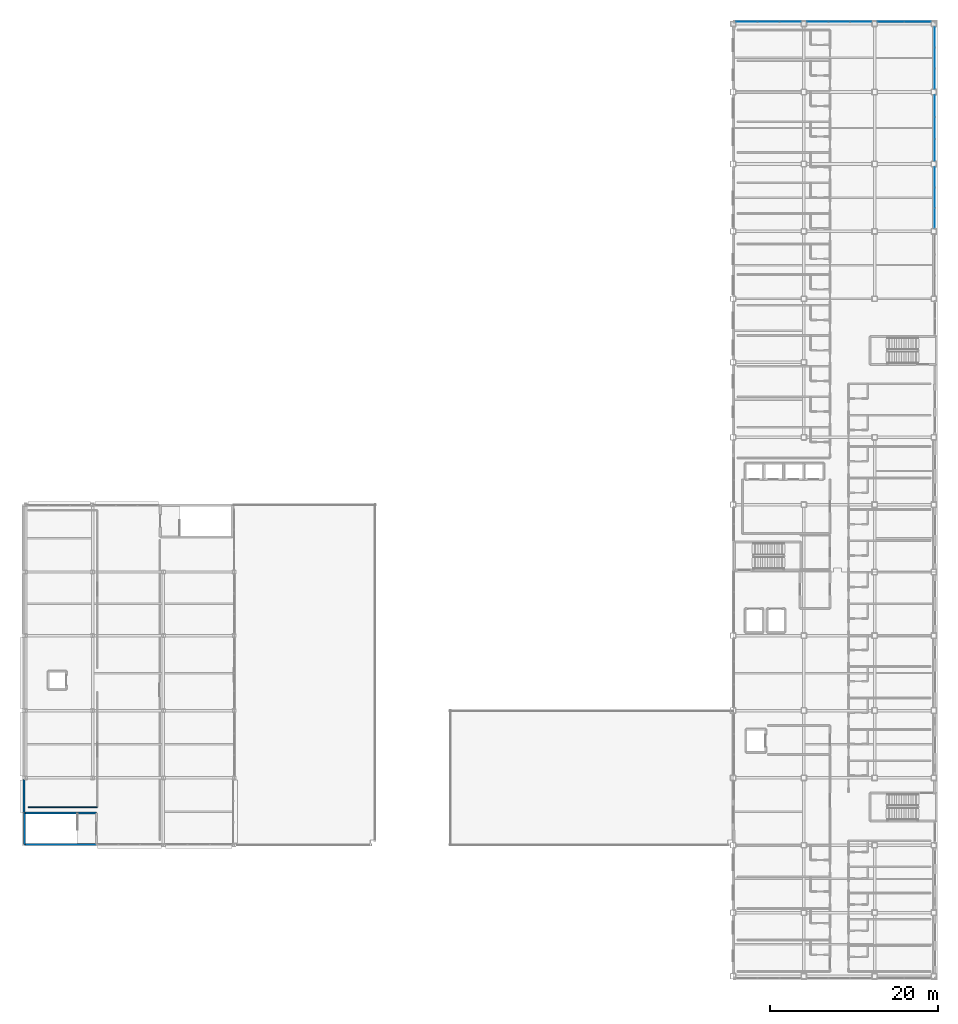
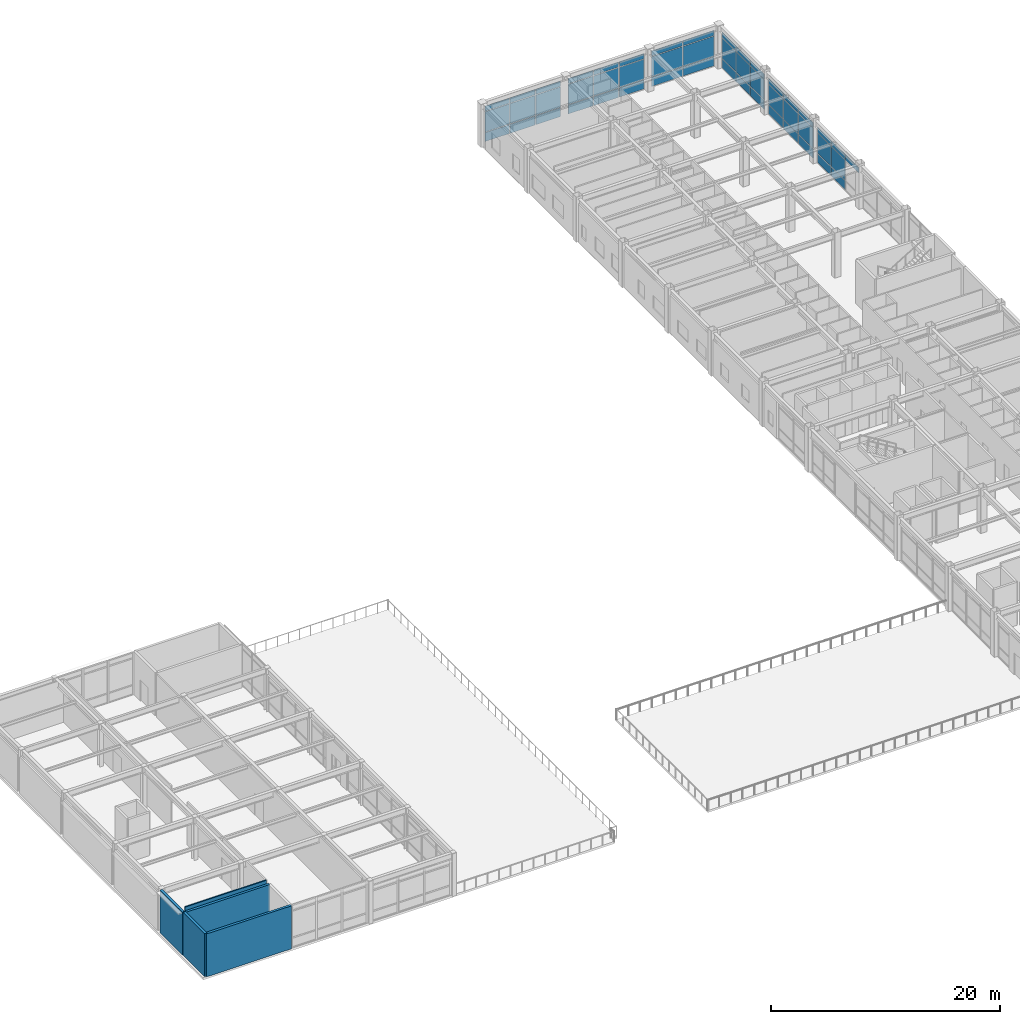
# One storey, part 47 of 61: 49 plates, 5 walls, 6 elements without a shape of their own.
"""IFC4 building model written with IfcOpenShell, lengths in metres."""

from ifc_helpers import new_model, si_unit, direction, frame, frame_2d, origin, origin_2d, place, context, subcontext, project, spatial, rectangle, extrude, material, layer, layer_set, type_object, element, aggregate, save


model = new_model("IFC4")

# Units and contexts
model_context = context("Model", 3, precision=1e-05, world=origin(), true_north=direction((0.0, 1.0)))
body_context = subcontext(model_context, "Body", "Model", "MODEL_VIEW")
ifc_project = project(units=[si_unit("LENGTHUNIT", "METRE"), si_unit("AREAUNIT", "SQUARE_METRE"), si_unit("VOLUMEUNIT", "CUBIC_METRE"), si_unit("PLANEANGLEUNIT", "RADIAN"), si_unit("MASSUNIT", "GRAM", prefix="KILO")], contexts=[model_context])

# Site, building, storey
site_placement = place(None, origin())
site = spatial("IfcSite", under=ifc_project, at=site_placement, CompositionType="ELEMENT")
building_placement = place(site_placement, origin())
building = spatial("IfcBuilding", under=site, at=building_placement, Name="Kazehara Bluff Congress Hotel", CompositionType="ELEMENT")
storey_placement = place(building_placement, frame((0.0, 0.0, 19.800048828125)))
storey = spatial("IfcBuildingStorey", under=building, at=storey_placement, Name="L04", CompositionType="ELEMENT", Elevation=19.800048828125)

# Curtain wall, plates
ifc_material_1 = material(Name="Anodised aluminium", Category="aluminium")
ifc_layer_1 = layer(ifc_material_1, 0.159912109375)
ifc_layer_set_1 = layer_set([ifc_layer_1], Name="Anodised aluminium")
curtain_wall_type_1 = type_object("IfcCurtainWallType", Name="TP-CW-162", PredefinedType="NOTDEFINED", material=ifc_layer_set_1)
curtain_wall_1_placement = place(storey_placement, origin())
curtain_wall_1 = element("IfcCurtainWall", 1, at=curtain_wall_1_placement, inside=storey, type_object=curtain_wall_type_1, Name="L04 curtain wall CW-162 CW-ENC-V5-L04-16765-9290", PredefinedType="NOTDEFINED")
ifc_material_2 = material(Name="Insulated low-E double glazing", Category="glass")
ifc_layer_2 = layer(ifc_material_2, 0.028076171875)
ifc_layer_set_2 = layer_set([ifc_layer_2], Name="Insulated low-E double glazing")
plate_type = type_object("IfcPlateType", Name="TP-CWP-01", PredefinedType="CURTAIN_PANEL", material=ifc_layer_set_2)
plate_1_placement = place(storey_placement, frame((167.64990234375, 95.333740234375, 0.06494140625), z_axis=(0.0, 0.0, 1.0), x_axis=(0.0, -1.0, 0.0)))
plate_1 = element("IfcPlate", 2, at=plate_1_placement, type_object=plate_type, Name="CW-162 panel 1.1", PredefinedType="CURTAIN_PANEL", context=body_context, shape_type="SweptSolid", body=[
    extrude(rectangle(XDim=2.3525390625, YDim=0.028076171875, at=origin_2d()), origin(), (0.0, 0.0, 1.0), 0.952392578125),
])
plate_2_placement = place(storey_placement, frame((167.64990234375, 95.333740234375, 1.08251953125), z_axis=(0.0, 0.0, 1.0), x_axis=(0.0, -1.0, 0.0)))
plate_2 = element("IfcPlate", 3, at=plate_2_placement, type_object=plate_type, Name="CW-162 panel 1.2", PredefinedType="CURTAIN_PANEL", context=body_context, shape_type="SweptSolid", body=[
    extrude(rectangle(XDim=2.3525390625, YDim=0.028076171875, at=origin_2d()), origin(), (0.0, 0.0, 1.0), 2.139892578125),
])
plate_3_placement = place(storey_placement, frame((167.64990234375, 95.333740234375, 3.28759765625), z_axis=(0.0, 0.0, 1.0), x_axis=(0.0, -1.0, 0.0)))
plate_3 = element("IfcPlate", 4, at=plate_3_placement, type_object=plate_type, Name="CW-162 panel 1.3", PredefinedType="CURTAIN_PANEL", context=body_context, shape_type="SweptSolid", body=[
    extrude(rectangle(XDim=2.3525390625, YDim=0.028076171875, at=origin_2d()), origin(), (0.0, 0.0, 1.0), 0.552490234375),
])
plate_4_placement = place(storey_placement, frame((167.64990234375, 92.89990234375, 0.06494140625), z_axis=(0.0, 0.0, 1.0), x_axis=(0.0, -1.0, 0.0)))
plate_4 = element("IfcPlate", 5, at=plate_4_placement, type_object=plate_type, Name="CW-162 panel 2.1", PredefinedType="CURTAIN_PANEL", context=body_context, shape_type="SweptSolid", body=[
    extrude(rectangle(XDim=2.385009765625, YDim=0.028076171875, at=origin_2d()), origin(), (0.0, 0.0, 1.0), 0.952392578125),
])
plate_5_placement = place(storey_placement, frame((167.64990234375, 92.89990234375, 1.08251953125), z_axis=(0.0, 0.0, 1.0), x_axis=(0.0, -1.0, 0.0)))
plate_5 = element("IfcPlate", 6, at=plate_5_placement, type_object=plate_type, Name="CW-162 panel 2.2", PredefinedType="CURTAIN_PANEL", context=body_context, shape_type="SweptSolid", body=[
    extrude(rectangle(XDim=2.385009765625, YDim=0.028076171875, at=origin_2d()), origin(), (0.0, 0.0, 1.0), 2.139892578125),
])
plate_6_placement = place(storey_placement, frame((167.64990234375, 92.89990234375, 3.28759765625), z_axis=(0.0, 0.0, 1.0), x_axis=(0.0, -1.0, 0.0)))
plate_6 = element("IfcPlate", 7, at=plate_6_placement, type_object=plate_type, Name="CW-162 panel 2.3", PredefinedType="CURTAIN_PANEL", context=body_context, shape_type="SweptSolid", body=[
    extrude(rectangle(XDim=2.385009765625, YDim=0.028076171875, at=origin_2d()), origin(), (0.0, 0.0, 1.0), 0.552490234375),
])
plate_7_placement = place(storey_placement, frame((167.64990234375, 90.46630859375, 3.28759765625), z_axis=(0.0, 0.0, 1.0), x_axis=(0.0, -1.0, 0.0)))
plate_7 = element("IfcPlate", 8, at=plate_7_placement, type_object=plate_type, Name="CW-162 panel 3.3", PredefinedType="CURTAIN_PANEL", context=body_context, shape_type="SweptSolid", body=[
    extrude(rectangle(XDim=2.3525390625, YDim=0.028076171875, at=origin_2d()), origin(), (0.0, 0.0, 1.0), 0.552490234375),
])
aggregate(curtain_wall_1, [plate_1, plate_2, plate_3, plate_4, plate_5, plate_6, plate_7])

ifc_material_3 = material(Name="Anodised aluminium", Category="aluminium")
ifc_layer_3 = layer(ifc_material_3, 0.159912109375)
ifc_layer_set_3 = layer_set([ifc_layer_3], Name="Anodised aluminium")
curtain_wall_type_2 = type_object("IfcCurtainWallType", Name="TP-CW-163", PredefinedType="NOTDEFINED", material=ifc_layer_set_3)
curtain_wall_2_placement = place(storey_placement, origin())
curtain_wall_2 = element("IfcCurtainWall", 9, at=curtain_wall_2_placement, inside=storey, type_object=curtain_wall_type_2, Name="L04 curtain wall CW-163 CW-ENC-V5-L04-16765-10118", PredefinedType="NOTDEFINED")
plate_8_placement = place(storey_placement, frame((167.64990234375, 103.7919921875, 0.06494140625), z_axis=(0.0, 0.0, 1.0), x_axis=(0.0, -1.0, 0.0)))
plate_8 = element("IfcPlate", 10, at=plate_8_placement, type_object=plate_type, Name="CW-163 panel 1.1", PredefinedType="CURTAIN_PANEL", context=body_context, shape_type="SweptSolid", body=[
    extrude(rectangle(XDim=2.535888671875, YDim=0.028076171875, at=origin_2d()), origin(), (0.0, 0.0, 1.0), 0.952392578125),
])
plate_9_placement = place(storey_placement, frame((167.64990234375, 103.7919921875, 1.08251953125), z_axis=(0.0, 0.0, 1.0), x_axis=(0.0, -1.0, 0.0)))
plate_9 = element("IfcPlate", 11, at=plate_9_placement, type_object=plate_type, Name="CW-163 panel 1.2", PredefinedType="CURTAIN_PANEL", context=body_context, shape_type="SweptSolid", body=[
    extrude(rectangle(XDim=2.535888671875, YDim=0.028076171875, at=origin_2d()), origin(), (0.0, 0.0, 1.0), 2.139892578125),
])
plate_10_placement = place(storey_placement, frame((167.64990234375, 103.7919921875, 3.28759765625), z_axis=(0.0, 0.0, 1.0), x_axis=(0.0, -1.0, 0.0)))
plate_10 = element("IfcPlate", 12, at=plate_10_placement, type_object=plate_type, Name="CW-163 panel 1.3", PredefinedType="CURTAIN_PANEL", context=body_context, shape_type="SweptSolid", body=[
    extrude(rectangle(XDim=2.535888671875, YDim=0.028076171875, at=origin_2d()), origin(), (0.0, 0.0, 1.0), 0.552490234375),
])
plate_11_placement = place(storey_placement, frame((167.64990234375, 101.175048828125, 0.06494140625), z_axis=(0.0, 0.0, 1.0), x_axis=(0.0, -1.0, 0.0)))
plate_11 = element("IfcPlate", 13, at=plate_11_placement, type_object=plate_type, Name="CW-163 panel 2.1", PredefinedType="CURTAIN_PANEL", context=body_context, shape_type="SweptSolid", body=[
    extrude(rectangle(XDim=2.568359375, YDim=0.028076171875, at=origin_2d()), origin(), (0.0, 0.0, 1.0), 0.952392578125),
])
plate_12_placement = place(storey_placement, frame((167.64990234375, 101.175048828125, 1.08251953125), z_axis=(0.0, 0.0, 1.0), x_axis=(0.0, -1.0, 0.0)))
plate_12 = element("IfcPlate", 14, at=plate_12_placement, type_object=plate_type, Name="CW-163 panel 2.2", PredefinedType="CURTAIN_PANEL", context=body_context, shape_type="SweptSolid", body=[
    extrude(rectangle(XDim=2.568359375, YDim=0.028076171875, at=origin_2d()), origin(), (0.0, 0.0, 1.0), 2.139892578125),
])
plate_13_placement = place(storey_placement, frame((167.64990234375, 101.175048828125, 3.28759765625), z_axis=(0.0, 0.0, 1.0), x_axis=(0.0, -1.0, 0.0)))
plate_13 = element("IfcPlate", 15, at=plate_13_placement, type_object=plate_type, Name="CW-163 panel 2.3", PredefinedType="CURTAIN_PANEL", context=body_context, shape_type="SweptSolid", body=[
    extrude(rectangle(XDim=2.568359375, YDim=0.028076171875, at=origin_2d()), origin(), (0.0, 0.0, 1.0), 0.552490234375),
])
plate_14_placement = place(storey_placement, frame((167.64990234375, 98.557861328125, 0.06494140625), z_axis=(0.0, 0.0, 1.0), x_axis=(0.0, -1.0, 0.0)))
plate_14 = element("IfcPlate", 16, at=plate_14_placement, type_object=plate_type, Name="CW-163 panel 3.1", PredefinedType="CURTAIN_PANEL", context=body_context, shape_type="SweptSolid", body=[
    extrude(rectangle(XDim=2.535888671875, YDim=0.028076171875, at=origin_2d()), origin(), (0.0, 0.0, 1.0), 0.952392578125),
])
plate_15_placement = place(storey_placement, frame((167.64990234375, 98.557861328125, 1.08251953125), z_axis=(0.0, 0.0, 1.0), x_axis=(0.0, -1.0, 0.0)))
plate_15 = element("IfcPlate", 17, at=plate_15_placement, type_object=plate_type, Name="CW-163 panel 3.2", PredefinedType="CURTAIN_PANEL", context=body_context, shape_type="SweptSolid", body=[
    extrude(rectangle(XDim=2.535888671875, YDim=0.028076171875, at=origin_2d()), origin(), (0.0, 0.0, 1.0), 2.139892578125),
])
plate_16_placement = place(storey_placement, frame((167.64990234375, 98.557861328125, 3.28759765625), z_axis=(0.0, 0.0, 1.0), x_axis=(0.0, -1.0, 0.0)))
plate_16 = element("IfcPlate", 18, at=plate_16_placement, type_object=plate_type, Name="CW-163 panel 3.3", PredefinedType="CURTAIN_PANEL", context=body_context, shape_type="SweptSolid", body=[
    extrude(rectangle(XDim=2.535888671875, YDim=0.028076171875, at=origin_2d()), origin(), (0.0, 0.0, 1.0), 0.552490234375),
])
aggregate(curtain_wall_2, [plate_8, plate_9, plate_10, plate_11, plate_12, plate_13, plate_14, plate_15, plate_16])

ifc_material_4 = material(Name="Anodised aluminium", Category="aluminium")
ifc_layer_4 = layer(ifc_material_4, 0.159912109375)
ifc_layer_set_4 = layer_set([ifc_layer_4], Name="Anodised aluminium")
curtain_wall_type_3 = type_object("IfcCurtainWallType", Name="TP-CW-164", PredefinedType="NOTDEFINED", material=ifc_layer_set_4)
curtain_wall_3_placement = place(storey_placement, origin())
curtain_wall_3 = element("IfcCurtainWall", 19, at=curtain_wall_3_placement, inside=storey, type_object=curtain_wall_type_3, Name="L04 curtain wall CW-164 CW-ENC-V5-L04-16765-10950", PredefinedType="NOTDEFINED")
plate_17_placement = place(storey_placement, frame((167.64990234375, 111.967041015625, 0.06494140625), z_axis=(0.0, 0.0, 1.0), x_axis=(0.0, -1.0, 0.0)))
plate_17 = element("IfcPlate", 20, at=plate_17_placement, type_object=plate_type, Name="CW-164 panel 1.1", PredefinedType="CURTAIN_PANEL", context=body_context, shape_type="SweptSolid", body=[
    extrude(rectangle(XDim=2.3857421875, YDim=0.028076171875, at=origin_2d()), origin(), (0.0, 0.0, 1.0), 0.952392578125),
])
plate_18_placement = place(storey_placement, frame((167.64990234375, 111.967041015625, 1.08251953125), z_axis=(0.0, 0.0, 1.0), x_axis=(0.0, -1.0, 0.0)))
plate_18 = element("IfcPlate", 21, at=plate_18_placement, type_object=plate_type, Name="CW-164 panel 1.2", PredefinedType="CURTAIN_PANEL", context=body_context, shape_type="SweptSolid", body=[
    extrude(rectangle(XDim=2.3857421875, YDim=0.028076171875, at=origin_2d()), origin(), (0.0, 0.0, 1.0), 2.139892578125),
])
plate_19_placement = place(storey_placement, frame((167.64990234375, 111.967041015625, 3.28759765625), z_axis=(0.0, 0.0, 1.0), x_axis=(0.0, -1.0, 0.0)))
plate_19 = element("IfcPlate", 22, at=plate_19_placement, type_object=plate_type, Name="CW-164 panel 1.3", PredefinedType="CURTAIN_PANEL", context=body_context, shape_type="SweptSolid", body=[
    extrude(rectangle(XDim=2.3857421875, YDim=0.028076171875, at=origin_2d()), origin(), (0.0, 0.0, 1.0), 0.552490234375),
])
plate_20_placement = place(storey_placement, frame((167.64990234375, 109.5, 0.06494140625), z_axis=(0.0, 0.0, 1.0), x_axis=(0.0, -1.0, 0.0)))
plate_20 = element("IfcPlate", 23, at=plate_20_placement, type_object=plate_type, Name="CW-164 panel 2.1", PredefinedType="CURTAIN_PANEL", context=body_context, shape_type="SweptSolid", body=[
    extrude(rectangle(XDim=2.418212890625, YDim=0.028076171875, at=origin_2d()), origin(), (0.0, 0.0, 1.0), 0.952392578125),
])
plate_21_placement = place(storey_placement, frame((167.64990234375, 109.5, 1.08251953125), z_axis=(0.0, 0.0, 1.0), x_axis=(0.0, -1.0, 0.0)))
plate_21 = element("IfcPlate", 24, at=plate_21_placement, type_object=plate_type, Name="CW-164 panel 2.2", PredefinedType="CURTAIN_PANEL", context=body_context, shape_type="SweptSolid", body=[
    extrude(rectangle(XDim=2.418212890625, YDim=0.028076171875, at=origin_2d()), origin(), (0.0, 0.0, 1.0), 2.139892578125),
])
plate_22_placement = place(storey_placement, frame((167.64990234375, 109.5, 3.28759765625), z_axis=(0.0, 0.0, 1.0), x_axis=(0.0, -1.0, 0.0)))
plate_22 = element("IfcPlate", 25, at=plate_22_placement, type_object=plate_type, Name="CW-164 panel 2.3", PredefinedType="CURTAIN_PANEL", context=body_context, shape_type="SweptSolid", body=[
    extrude(rectangle(XDim=2.418212890625, YDim=0.028076171875, at=origin_2d()), origin(), (0.0, 0.0, 1.0), 0.552490234375),
])
plate_23_placement = place(storey_placement, frame((167.64990234375, 107.032958984375, 0.06494140625), z_axis=(0.0, 0.0, 1.0), x_axis=(0.0, -1.0, 0.0)))
plate_23 = element("IfcPlate", 26, at=plate_23_placement, type_object=plate_type, Name="CW-164 panel 3.1", PredefinedType="CURTAIN_PANEL", context=body_context, shape_type="SweptSolid", body=[
    extrude(rectangle(XDim=2.3857421875, YDim=0.028076171875, at=origin_2d()), origin(), (0.0, 0.0, 1.0), 0.952392578125),
])
plate_24_placement = place(storey_placement, frame((167.64990234375, 107.032958984375, 1.08251953125), z_axis=(0.0, 0.0, 1.0), x_axis=(0.0, -1.0, 0.0)))
plate_24 = element("IfcPlate", 27, at=plate_24_placement, type_object=plate_type, Name="CW-164 panel 3.2", PredefinedType="CURTAIN_PANEL", context=body_context, shape_type="SweptSolid", body=[
    extrude(rectangle(XDim=2.3857421875, YDim=0.028076171875, at=origin_2d()), origin(), (0.0, 0.0, 1.0), 2.139892578125),
])
plate_25_placement = place(storey_placement, frame((167.64990234375, 107.032958984375, 3.28759765625), z_axis=(0.0, 0.0, 1.0), x_axis=(0.0, -1.0, 0.0)))
plate_25 = element("IfcPlate", 28, at=plate_25_placement, type_object=plate_type, Name="CW-164 panel 3.3", PredefinedType="CURTAIN_PANEL", context=body_context, shape_type="SweptSolid", body=[
    extrude(rectangle(XDim=2.3857421875, YDim=0.028076171875, at=origin_2d()), origin(), (0.0, 0.0, 1.0), 0.552490234375),
])
aggregate(curtain_wall_3, [plate_17, plate_18, plate_19, plate_20, plate_21, plate_22, plate_23, plate_24, plate_25])

ifc_material_5 = material(Name="Anodised aluminium", Category="aluminium")
ifc_layer_5 = layer(ifc_material_5, 0.159912109375)
ifc_layer_set_5 = layer_set([ifc_layer_5], Name="Anodised aluminium")
curtain_wall_type_4 = type_object("IfcCurtainWallType", Name="TP-CW-158", PredefinedType="NOTDEFINED", material=ifc_layer_set_5)
curtain_wall_4_placement = place(storey_placement, origin())
curtain_wall_4 = element("IfcCurtainWall", 29, at=curtain_wall_4_placement, inside=storey, type_object=curtain_wall_type_4, Name="L04 curtain wall CW-158 CW-ENC-V5-L04-14790-11378", PredefinedType="NOTDEFINED")
plate_26_placement = place(storey_placement, frame((145.3330078125, 113.780029296875, 0.06494140625), z_axis=(0.0, 0.0, 1.0), x_axis=(1.0, 0.0, 0.0)))
plate_26 = element("IfcPlate", 30, at=plate_26_placement, type_object=plate_type, Name="CW-158 panel 1.1", PredefinedType="CURTAIN_PANEL", context=body_context, shape_type="SweptSolid", body=[
    extrude(rectangle(XDim=2.48583984375, YDim=0.028076171875, at=origin_2d()), origin(), (0.0, 0.0, 1.0), 0.952392578125),
])
plate_27_placement = place(storey_placement, frame((145.3330078125, 113.780029296875, 1.08251953125), z_axis=(0.0, 0.0, 1.0), x_axis=(1.0, 0.0, 0.0)))
plate_27 = element("IfcPlate", 31, at=plate_27_placement, type_object=plate_type, Name="CW-158 panel 1.2", PredefinedType="CURTAIN_PANEL", context=body_context, shape_type="SweptSolid", body=[
    extrude(rectangle(XDim=2.48583984375, YDim=0.028076171875, at=origin_2d()), origin(), (0.0, 0.0, 1.0), 2.139892578125),
])
plate_28_placement = place(storey_placement, frame((145.3330078125, 113.780029296875, 3.28759765625), z_axis=(0.0, 0.0, 1.0), x_axis=(1.0, 0.0, 0.0)))
plate_28 = element("IfcPlate", 32, at=plate_28_placement, type_object=plate_type, Name="CW-158 panel 1.3", PredefinedType="CURTAIN_PANEL", context=body_context, shape_type="SweptSolid", body=[
    extrude(rectangle(XDim=2.48583984375, YDim=0.028076171875, at=origin_2d()), origin(), (0.0, 0.0, 1.0), 0.552490234375),
])
plate_29_placement = place(storey_placement, frame((147.89990234375, 113.780029296875, 0.06494140625), z_axis=(0.0, 0.0, 1.0), x_axis=(1.0, 0.0, 0.0)))
plate_29 = element("IfcPlate", 33, at=plate_29_placement, type_object=plate_type, Name="CW-158 panel 2.1", PredefinedType="CURTAIN_PANEL", context=body_context, shape_type="SweptSolid", body=[
    extrude(rectangle(XDim=2.518310546875, YDim=0.028076171875, at=origin_2d()), origin(), (0.0, 0.0, 1.0), 0.952392578125),
])
plate_30_placement = place(storey_placement, frame((147.89990234375, 113.780029296875, 1.08251953125), z_axis=(0.0, 0.0, 1.0), x_axis=(1.0, 0.0, 0.0)))
plate_30 = element("IfcPlate", 34, at=plate_30_placement, type_object=plate_type, Name="CW-158 panel 2.2", PredefinedType="CURTAIN_PANEL", context=body_context, shape_type="SweptSolid", body=[
    extrude(rectangle(XDim=2.518310546875, YDim=0.028076171875, at=origin_2d()), origin(), (0.0, 0.0, 1.0), 2.139892578125),
])
plate_31_placement = place(storey_placement, frame((147.89990234375, 113.780029296875, 3.28759765625), z_axis=(0.0, 0.0, 1.0), x_axis=(1.0, 0.0, 0.0)))
plate_31 = element("IfcPlate", 35, at=plate_31_placement, type_object=plate_type, Name="CW-158 panel 2.3", PredefinedType="CURTAIN_PANEL", context=body_context, shape_type="SweptSolid", body=[
    extrude(rectangle(XDim=2.518310546875, YDim=0.028076171875, at=origin_2d()), origin(), (0.0, 0.0, 1.0), 0.552490234375),
])
plate_32_placement = place(storey_placement, frame((150.467041015625, 113.780029296875, 0.06494140625), z_axis=(0.0, 0.0, 1.0), x_axis=(1.0, 0.0, 0.0)))
plate_32 = element("IfcPlate", 36, at=plate_32_placement, type_object=plate_type, Name="CW-158 panel 3.1", PredefinedType="CURTAIN_PANEL", context=body_context, shape_type="SweptSolid", body=[
    extrude(rectangle(XDim=2.48583984375, YDim=0.028076171875, at=origin_2d()), origin(), (0.0, 0.0, 1.0), 0.952392578125),
])
plate_33_placement = place(storey_placement, frame((150.467041015625, 113.780029296875, 1.08251953125), z_axis=(0.0, 0.0, 1.0), x_axis=(1.0, 0.0, 0.0)))
plate_33 = element("IfcPlate", 37, at=plate_33_placement, type_object=plate_type, Name="CW-158 panel 3.2", PredefinedType="CURTAIN_PANEL", context=body_context, shape_type="SweptSolid", body=[
    extrude(rectangle(XDim=2.48583984375, YDim=0.028076171875, at=origin_2d()), origin(), (0.0, 0.0, 1.0), 2.139892578125),
])
plate_34_placement = place(storey_placement, frame((150.467041015625, 113.780029296875, 3.28759765625), z_axis=(0.0, 0.0, 1.0), x_axis=(1.0, 0.0, 0.0)))
plate_34 = element("IfcPlate", 38, at=plate_34_placement, type_object=plate_type, Name="CW-158 panel 3.3", PredefinedType="CURTAIN_PANEL", context=body_context, shape_type="SweptSolid", body=[
    extrude(rectangle(XDim=2.48583984375, YDim=0.028076171875, at=origin_2d()), origin(), (0.0, 0.0, 1.0), 0.552490234375),
])
aggregate(curtain_wall_4, [plate_26, plate_27, plate_28, plate_29, plate_30, plate_31, plate_32, plate_33, plate_34])

curtain_wall_5_placement = place(storey_placement, origin())
curtain_wall_5 = element("IfcCurtainWall", 39, at=curtain_wall_5_placement, inside=storey, type_object=curtain_wall_type_4, Name="L04 curtain wall CW-158 CW-ENC-V5-L04-15630-11378", PredefinedType="NOTDEFINED")
plate_35_placement = place(storey_placement, frame((153.73291015625, 113.780029296875, 0.06494140625), z_axis=(0.0, 0.0, 1.0), x_axis=(1.0, 0.0, 0.0)))
plate_35 = element("IfcPlate", 40, at=plate_35_placement, type_object=plate_type, Name="CW-158 panel 1.1", PredefinedType="CURTAIN_PANEL", context=body_context, shape_type="SweptSolid", body=[
    extrude(rectangle(XDim=2.48583984375, YDim=0.028076171875, at=origin_2d()), origin(), (0.0, 0.0, 1.0), 0.952392578125),
])
plate_36_placement = place(storey_placement, frame((153.73291015625, 113.780029296875, 1.08251953125), z_axis=(0.0, 0.0, 1.0), x_axis=(1.0, 0.0, 0.0)))
plate_36 = element("IfcPlate", 41, at=plate_36_placement, type_object=plate_type, Name="CW-158 panel 1.2", PredefinedType="CURTAIN_PANEL", context=body_context, shape_type="SweptSolid", body=[
    extrude(rectangle(XDim=2.48583984375, YDim=0.028076171875, at=origin_2d()), origin(), (0.0, 0.0, 1.0), 2.139892578125),
])
plate_37_placement = place(storey_placement, frame((153.73291015625, 113.780029296875, 3.28759765625), z_axis=(0.0, 0.0, 1.0), x_axis=(1.0, 0.0, 0.0)))
plate_37 = element("IfcPlate", 42, at=plate_37_placement, type_object=plate_type, Name="CW-158 panel 1.3", PredefinedType="CURTAIN_PANEL", context=body_context, shape_type="SweptSolid", body=[
    extrude(rectangle(XDim=2.48583984375, YDim=0.028076171875, at=origin_2d()), origin(), (0.0, 0.0, 1.0), 0.552490234375),
])
plate_38_placement = place(storey_placement, frame((156.300048828125, 113.780029296875, 0.06494140625), z_axis=(0.0, 0.0, 1.0), x_axis=(1.0, 0.0, 0.0)))
plate_38 = element("IfcPlate", 43, at=plate_38_placement, type_object=plate_type, Name="CW-158 panel 2.1", PredefinedType="CURTAIN_PANEL", context=body_context, shape_type="SweptSolid", body=[
    extrude(rectangle(XDim=2.518310546875, YDim=0.028076171875, at=origin_2d()), origin(), (0.0, 0.0, 1.0), 0.952392578125),
])
plate_39_placement = place(storey_placement, frame((156.300048828125, 113.780029296875, 1.08251953125), z_axis=(0.0, 0.0, 1.0), x_axis=(1.0, 0.0, 0.0)))
plate_39 = element("IfcPlate", 44, at=plate_39_placement, type_object=plate_type, Name="CW-158 panel 2.2", PredefinedType="CURTAIN_PANEL", context=body_context, shape_type="SweptSolid", body=[
    extrude(rectangle(XDim=2.518310546875, YDim=0.028076171875, at=origin_2d()), origin(), (0.0, 0.0, 1.0), 2.139892578125),
])
plate_40_placement = place(storey_placement, frame((156.300048828125, 113.780029296875, 3.28759765625), z_axis=(0.0, 0.0, 1.0), x_axis=(1.0, 0.0, 0.0)))
plate_40 = element("IfcPlate", 45, at=plate_40_placement, type_object=plate_type, Name="CW-158 panel 2.3", PredefinedType="CURTAIN_PANEL", context=body_context, shape_type="SweptSolid", body=[
    extrude(rectangle(XDim=2.518310546875, YDim=0.028076171875, at=origin_2d()), origin(), (0.0, 0.0, 1.0), 0.552490234375),
])
plate_41_placement = place(storey_placement, frame((158.8671875, 113.780029296875, 0.06494140625), z_axis=(0.0, 0.0, 1.0), x_axis=(1.0, 0.0, 0.0)))
plate_41 = element("IfcPlate", 46, at=plate_41_placement, type_object=plate_type, Name="CW-158 panel 3.1", PredefinedType="CURTAIN_PANEL", context=body_context, shape_type="SweptSolid", body=[
    extrude(rectangle(XDim=2.48583984375, YDim=0.028076171875, at=origin_2d()), origin(), (0.0, 0.0, 1.0), 0.952392578125),
])
plate_42_placement = place(storey_placement, frame((158.8671875, 113.780029296875, 1.08251953125), z_axis=(0.0, 0.0, 1.0), x_axis=(1.0, 0.0, 0.0)))
plate_42 = element("IfcPlate", 47, at=plate_42_placement, type_object=plate_type, Name="CW-158 panel 3.2", PredefinedType="CURTAIN_PANEL", context=body_context, shape_type="SweptSolid", body=[
    extrude(rectangle(XDim=2.48583984375, YDim=0.028076171875, at=origin_2d()), origin(), (0.0, 0.0, 1.0), 2.139892578125),
])
plate_43_placement = place(storey_placement, frame((158.8671875, 113.780029296875, 3.28759765625), z_axis=(0.0, 0.0, 1.0), x_axis=(1.0, 0.0, 0.0)))
plate_43 = element("IfcPlate", 48, at=plate_43_placement, type_object=plate_type, Name="CW-158 panel 3.3", PredefinedType="CURTAIN_PANEL", context=body_context, shape_type="SweptSolid", body=[
    extrude(rectangle(XDim=2.48583984375, YDim=0.028076171875, at=origin_2d()), origin(), (0.0, 0.0, 1.0), 0.552490234375),
])
aggregate(curtain_wall_5, [plate_35, plate_36, plate_37, plate_38, plate_39, plate_40, plate_41, plate_42, plate_43])

ifc_material_6 = material(Name="Anodised aluminium", Category="aluminium")
ifc_layer_6 = layer(ifc_material_6, 0.159912109375)
ifc_layer_set_6 = layer_set([ifc_layer_6], Name="Anodised aluminium")
curtain_wall_type_5 = type_object("IfcCurtainWallType", Name="TP-CW-159", PredefinedType="NOTDEFINED", material=ifc_layer_set_6)
curtain_wall_6_placement = place(storey_placement, origin())
curtain_wall_6 = element("IfcCurtainWall", 49, at=curtain_wall_6_placement, inside=storey, type_object=curtain_wall_type_5, Name="L04 curtain wall CW-159 CW-ENC-V5-L04-16402-11378", PredefinedType="NOTDEFINED")
plate_44_placement = place(storey_placement, frame((162.43994140625, 113.780029296875, 0.06005859375), z_axis=(0.0, 0.0, 1.0), x_axis=(1.0, 0.0, 0.0)))
plate_44 = element("IfcPlate", 50, at=plate_44_placement, type_object=plate_type, Name="CW-159 panel 1.1", PredefinedType="CURTAIN_PANEL", context=body_context, shape_type="SweptSolid", body=[
    extrude(rectangle(XDim=3.110107421875, YDim=0.028076171875, at=origin_2d()), origin(), (0.0, 0.0, 1.0), 0.9599609375),
])
plate_45_placement = place(storey_placement, frame((162.43994140625, 113.780029296875, 1.079833984375), z_axis=(0.0, 0.0, 1.0), x_axis=(1.0, 0.0, 0.0)))
plate_45 = element("IfcPlate", 51, at=plate_45_placement, type_object=plate_type, Name="CW-159 panel 1.2", PredefinedType="CURTAIN_PANEL", context=body_context, shape_type="SweptSolid", body=[
    extrude(rectangle(XDim=3.110107421875, YDim=0.028076171875, at=origin_2d()), origin(), (0.0, 0.0, 1.0), 2.14501953125),
])
plate_46_placement = place(storey_placement, frame((162.43994140625, 113.780029296875, 3.284912109375), z_axis=(0.0, 0.0, 1.0), x_axis=(1.0, 0.0, 0.0)))
plate_46 = element("IfcPlate", 52, at=plate_46_placement, type_object=plate_type, Name="CW-159 panel 1.3", PredefinedType="CURTAIN_PANEL", context=body_context, shape_type="SweptSolid", body=[
    extrude(rectangle(XDim=3.110107421875, YDim=0.028076171875, at=origin_2d()), origin(), (0.0, 0.0, 1.0), 0.56005859375),
])
plate_47_placement = place(storey_placement, frame((165.610107421875, 113.780029296875, 0.06005859375), z_axis=(0.0, 0.0, 1.0), x_axis=(1.0, 0.0, 0.0)))
plate_47 = element("IfcPlate", 53, at=plate_47_placement, type_object=plate_type, Name="CW-159 panel 2.1", PredefinedType="CURTAIN_PANEL", context=body_context, shape_type="SweptSolid", body=[
    extrude(rectangle(XDim=3.110107421875, YDim=0.028076171875, at=origin_2d()), origin(), (0.0, 0.0, 1.0), 0.9599609375),
])
plate_48_placement = place(storey_placement, frame((165.610107421875, 113.780029296875, 1.079833984375), z_axis=(0.0, 0.0, 1.0), x_axis=(1.0, 0.0, 0.0)))
plate_48 = element("IfcPlate", 54, at=plate_48_placement, type_object=plate_type, Name="CW-159 panel 2.2", PredefinedType="CURTAIN_PANEL", context=body_context, shape_type="SweptSolid", body=[
    extrude(rectangle(XDim=3.110107421875, YDim=0.028076171875, at=origin_2d()), origin(), (0.0, 0.0, 1.0), 2.14501953125),
])
plate_49_placement = place(storey_placement, frame((165.610107421875, 113.780029296875, 3.284912109375), z_axis=(0.0, 0.0, 1.0), x_axis=(1.0, 0.0, 0.0)))
plate_49 = element("IfcPlate", 55, at=plate_49_placement, type_object=plate_type, Name="CW-159 panel 2.3", PredefinedType="CURTAIN_PANEL", context=body_context, shape_type="SweptSolid", body=[
    extrude(rectangle(XDim=3.110107421875, YDim=0.028076171875, at=origin_2d()), origin(), (0.0, 0.0, 1.0), 0.56005859375),
])
aggregate(curtain_wall_6, [plate_44, plate_45, plate_46, plate_47, plate_48, plate_49])

# Walls
ifc_material_7 = material(Name="Concrete C40/50", Category="concrete")
ifc_layer_7 = layer(ifc_material_7, 0.25)
ifc_layer_set_7 = layer_set([ifc_layer_7], Name="Concrete C40/50")
wall_type_1 = type_object("IfcWallType", Name="TP-CW-RC", PredefinedType="SHEAR", material=ifc_layer_set_7)
wall_1_placement = place(storey_placement, frame((59.574951171875, 16.074951171875, 0.0), z_axis=(0.0, 0.0, 1.0), x_axis=(0.0, 1.0, 0.0)))
element("IfcWall", 56, at=wall_1_placement, inside=storey, type_object=wall_type_1, Name="L04 ST-08 core wall far", PredefinedType="SHEAR", context=body_context, shape_type="SweptSolid", body=[
    extrude(rectangle(XDim=3.75, YDim=0.25, at=frame_2d((1.875, 0.0))), origin(), (0.0, 0.0, 1.0), 4.579833984375),
])
for number, where, z_axis, x_axis, name in (
    (57, (59.574951171875, 19.824951171875, 0.0), (0.0, 0.0, 1.0), (1.0, 0.0, 0.0), "L04 ST-08 core wall left"),
    (58, (68.125, 16.074951171875, 0.0), (0.0, 0.0, 1.0), (-1.0, 0.0, 0.0), "L04 ST-08 core wall right"),
):
    element("IfcWall", number, at=place(storey_placement, frame(where, z_axis=z_axis, x_axis=x_axis)), inside=storey, type_object=wall_type_1, Name=name, PredefinedType="SHEAR", context=body_context, shape_type="SweptSolid", body=[
        extrude(rectangle(XDim=8.550048828125, YDim=0.25, at=frame_2d((4.27490234375, 0.0))), origin(), (0.0, 0.0, 1.0), 4.579833984375),
    ])
ifc_material_8 = material(Name="Precast concrete C40/50", Category="concrete")
ifc_layer_8 = layer(ifc_material_8, 0.239990234375)
ifc_layer_set_8 = layer_set([ifc_layer_8], Name="Precast concrete C40/50")
wall_type_2 = type_object("IfcWallType", Name="TP-EW-240", PredefinedType="SOLIDWALL", material=ifc_layer_set_8)
wall_2_placement = place(storey_placement, frame((59.52001953125, 19.864990234375, 0.0), z_axis=(0.0, 0.0, 1.0), x_axis=(0.0, 1.0, 0.0)))
element("IfcWall", 59, at=wall_2_placement, inside=storey, type_object=wall_type_2, Name="L04 V4 perimeter spandrel pier 720", PredefinedType="SOLIDWALL", context=body_context, shape_type="SweptSolid", body=[
    extrude(rectangle(XDim=3.93505859375, YDim=0.239990234375, at=frame_2d((1.967529296875, 0.0))), origin(), (0.0, 0.0, 1.0), 4.56494140625),
])
ifc_material_9 = material(Name="Fire-rated gypsum board stud partition")
ifc_layer_9 = layer(ifc_material_9, 0.1298828125)
ifc_layer_set_9 = layer_set([ifc_layer_9], Name="Fire-rated gypsum board stud partition")
wall_type_3 = type_object("IfcWallType", Name="TP-PT-130", PredefinedType="PARTITIONING", material=ifc_layer_set_9)
wall_3_placement = place(storey_placement, frame((60.0, 20.5, 0.0), z_axis=(0.0, 0.0, 1.0), x_axis=(1.0, 0.0, 0.0)))
element("IfcWall", 60, at=wall_3_placement, inside=storey, type_object=wall_type_3, Name="L04 partition PT-130 389", PredefinedType="PARTITIONING", context=body_context, shape_type="SweptSolid", body=[
    extrude(rectangle(XDim=8.199951171875, YDim=0.1298828125, at=frame_2d((4.10009765625, 0.0))), origin(), (0.0, 0.0, 1.0), 4.56494140625),
])

save(model, "model.ifc")
